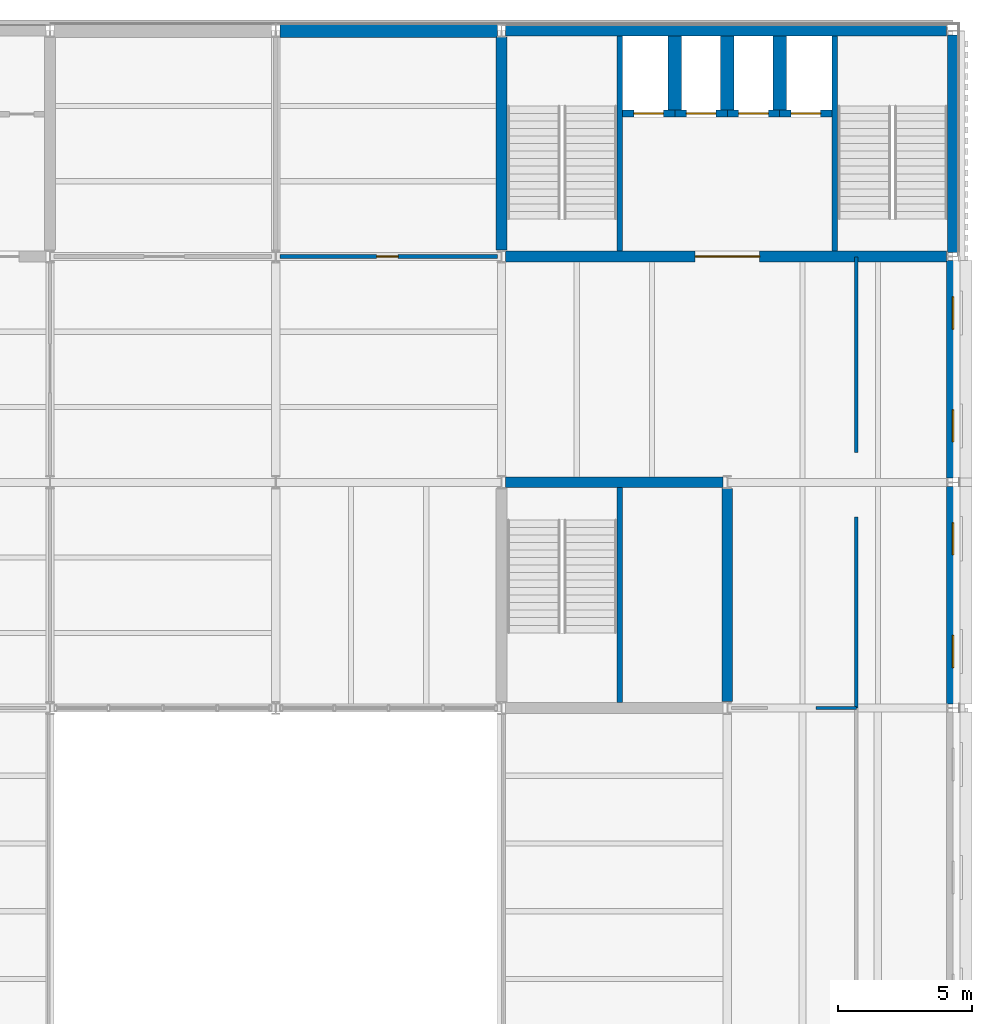
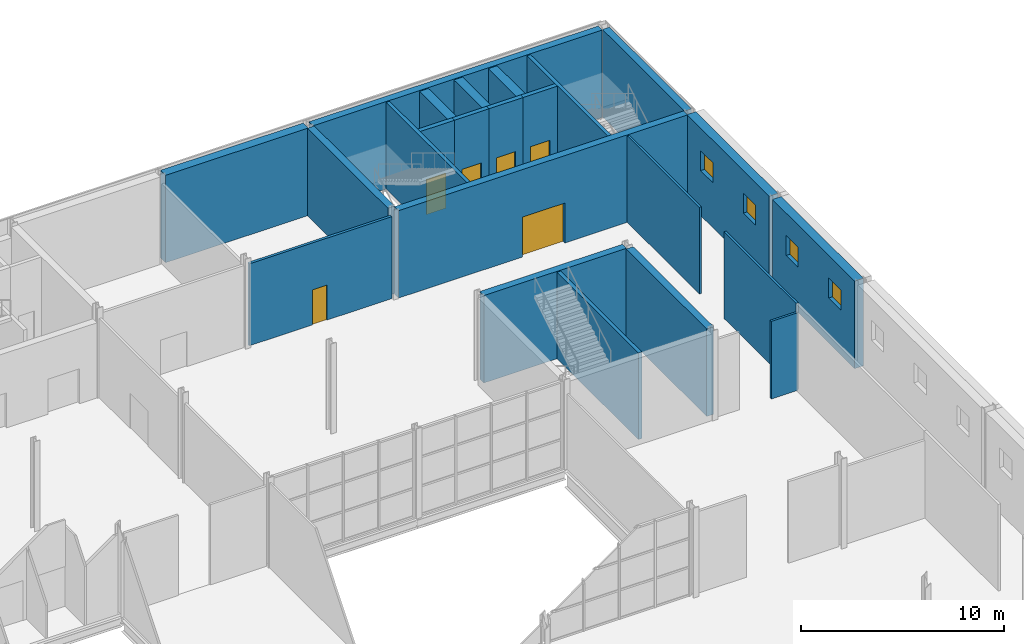
# One storey, part 35 of 57: 23 walls, 6 doors, 4 windows, 10 openings.
"""IFC4 building model written with IfcOpenShell, lengths in metres."""

from ifc_helpers import new_model, si_unit, direction, frame, frame_2d, origin, place, context, subcontext, project, spatial, rectangle, extrude, material, layer, layer_set, type_object, element, fill, save


model = new_model("IFC4")

# Units and contexts
model_context = context("Model", 3, precision=1e-05, world=origin(), true_north=direction((0.0, 1.0)))
body_context = subcontext(model_context, "Body", "Model", "MODEL_VIEW")
ifc_project = project(units=[si_unit("LENGTHUNIT", "METRE"), si_unit("AREAUNIT", "SQUARE_METRE"), si_unit("VOLUMEUNIT", "CUBIC_METRE"), si_unit("PLANEANGLEUNIT", "RADIAN"), si_unit("MASSUNIT", "GRAM", prefix="KILO")], contexts=[model_context])

# Site, building, storey
site_placement = place(None, origin())
site = spatial("IfcSite", under=ifc_project, at=site_placement, CompositionType="ELEMENT")
building_placement = place(site_placement, origin())
building = spatial("IfcBuilding", under=site, at=building_placement, Name="Galleria Vessillo Department Store", CompositionType="ELEMENT")
storey_placement = place(building_placement, frame((0.0, 0.0, 25.800048828125)))
storey = spatial("IfcBuildingStorey", under=building, at=storey_placement, Name="L05", CompositionType="ELEMENT", Elevation=25.800048828125)

# Walls
ifc_material_1 = material(Name="Solid clay block masonry", Category="masonry")
ifc_layer_1 = layer(ifc_material_1, 0.5)
ifc_layer_set_1 = layer_set([ifc_layer_1], Name="Solid clay block masonry")
wall_type_1 = type_object("IfcWallType", Name="Lift shaft partition wall 500 mm", PredefinedType="SOLIDWALL", material=ifc_layer_set_1)
for number, where, z_axis, x_axis, name in (
    (1, (107.25, 62.800048828125, 0.0), (0.0, 0.0, 1.0), (0.0, -1.0, 0.0), "Lift shaft partition wall T1 L05"),
    (2, (109.199951171875, 62.800048828125, 0.0), (0.0, 0.0, 1.0), (0.0, -1.0, 0.0), "Lift shaft partition wall T2 L05"),
    (3, (111.14990234375, 62.800048828125, 0.0), (0.0, 0.0, 1.0), (0.0, -1.0, 0.0), "Lift shaft partition wall T3 L05"),
):
    element("IfcWall", number, at=place(storey_placement, frame(where, z_axis=z_axis, x_axis=x_axis)), inside=storey, type_object=wall_type_1, Name=name, PredefinedType="SOLIDWALL", context=body_context, shape_type="SweptSolid", body=[
        extrude(rectangle(XDim=2.75, YDim=0.5, at=frame_2d((1.375, 0.0))), origin(), (0.0, 0.0, 1.0), 5.199951171875),
    ])

# Wall, opening, door
ifc_material_2 = material(Name="Solid clay block masonry", Category="masonry")
ifc_layer_2 = layer(ifc_material_2, 0.25)
ifc_layer_set_2 = layer_set([ifc_layer_2], Name="Solid clay block masonry")
wall_type_2 = type_object("IfcWallType", Name="Lift shaft wall 250 mm", PredefinedType="SOLIDWALL", material=ifc_layer_set_2)
wall_1_placement = place(storey_placement, frame((105.300048828125, 59.925048828125, 0.0), z_axis=(0.0, 0.0, 1.0), x_axis=(1.0, 0.0, 0.0)))
wall_1 = element("IfcWall", 4, at=wall_1_placement, inside=storey, type_object=wall_type_2, Name="Lift shaft wall T1 landing side L05", PredefinedType="SOLIDWALL", context=body_context, shape_type="SweptSolid", body=[
    extrude(rectangle(XDim=1.949951171875, YDim=0.25, at=frame_2d((0.97509765625, 0.0))), origin(), (0.0, 0.0, 1.0), 5.199951171875),
])
opening_1_placement = place(wall_1_placement, frame((0.4248046875, 0.0, 0.0)))
opening_1 = element("IfcOpeningElement", 5, at=opening_1_placement, cuts=wall_1, Name="Opening LD093", PredefinedType="OPENING", context=body_context, shape_type="SweptSolid", body=[
    extrude(rectangle(XDim=1.10009765625, YDim=2.10009765625, at=frame_2d((0.550048828125, 1.050048828125))), frame((0.0, 0.135009765625, 0.0), z_axis=(0.0, -1.0, 0.0), x_axis=(1.0, 0.0, 0.0)), (0.0, 0.0, 1.0), 0.27001953125),
])
ifc_material_3 = material(Name="Stainless steel lift door panel", Category="steel")
door_type_1 = type_object("IfcDoorType", Name="Lift landing door LD110 sliding 1100 x 2100", OperationType="SLIDING_TO_LEFT", PredefinedType="DOOR", material=ifc_material_3)
door_1_placement = place(opening_1_placement, frame((1.10009765625, 0.0, 0.0), z_axis=(0.0, 0.0, 1.0), x_axis=(-1.0, 0.0, 0.0)))
door_1 = element("IfcDoor", 6, at=door_1_placement, inside=storey, type_object=door_type_1, Name="Lift landing door T1 L05", OperationType="SLIDING_TO_RIGHT", OverallHeight=2.10009765625, OverallWidth=1.10009765625, PredefinedType="DOOR", context=body_context, shape_type="SweptSolid", body=[
    extrude(rectangle(XDim=1.10009765625, YDim=2.10009765625, at=frame_2d((0.550048828125, 1.050048828125))), frame((0.0, 0.02490234375, 0.0), z_axis=(0.0, -1.0, 0.0), x_axis=(1.0, 0.0, 0.0)), (0.0, 0.0, 1.0), 0.050048828125),
])
fill(opening_1, door_1)

wall_2_placement = place(storey_placement, frame((107.25, 59.925048828125, 0.0), z_axis=(0.0, 0.0, 1.0), x_axis=(1.0, 0.0, 0.0)))
wall_2 = element("IfcWall", 7, at=wall_2_placement, inside=storey, type_object=wall_type_2, Name="Lift shaft wall T2 landing side L05", PredefinedType="SOLIDWALL", context=body_context, shape_type="SweptSolid", body=[
    extrude(rectangle(XDim=1.949951171875, YDim=0.25, at=frame_2d((0.97509765625, 0.0))), origin(), (0.0, 0.0, 1.0), 5.199951171875),
])
opening_2_placement = place(wall_2_placement, frame((0.425048828125, 0.0, 0.0)))
opening_2 = element("IfcOpeningElement", 8, at=opening_2_placement, cuts=wall_2, Name="Opening LD094", PredefinedType="OPENING", context=body_context, shape_type="SweptSolid", body=[
    extrude(rectangle(XDim=1.10009765625, YDim=2.10009765625, at=frame_2d((0.550048828125, 1.050048828125))), frame((0.0, 0.135009765625, 0.0), z_axis=(0.0, -1.0, 0.0), x_axis=(1.0, 0.0, 0.0)), (0.0, 0.0, 1.0), 0.27001953125),
])
door_2_placement = place(opening_2_placement, frame((1.10009765625, 0.0, 0.0), z_axis=(0.0, 0.0, 1.0), x_axis=(-1.0, 0.0, 0.0)))
door_2 = element("IfcDoor", 9, at=door_2_placement, inside=storey, type_object=door_type_1, Name="Lift landing door T2 L05", OperationType="SLIDING_TO_RIGHT", OverallHeight=2.10009765625, OverallWidth=1.10009765625, PredefinedType="DOOR", context=body_context, shape_type="SweptSolid", body=[
    extrude(rectangle(XDim=1.10009765625, YDim=2.10009765625, at=frame_2d((0.550048828125, 1.050048828125))), frame((0.0, 0.02490234375, 0.0), z_axis=(0.0, -1.0, 0.0), x_axis=(1.0, 0.0, 0.0)), (0.0, 0.0, 1.0), 0.050048828125),
])
fill(opening_2, door_2)

wall_3_placement = place(storey_placement, frame((109.199951171875, 59.925048828125, 0.0), z_axis=(0.0, 0.0, 1.0), x_axis=(1.0, 0.0, 0.0)))
wall_3 = element("IfcWall", 10, at=wall_3_placement, inside=storey, type_object=wall_type_2, Name="Lift shaft wall T3 landing side L05", PredefinedType="SOLIDWALL", context=body_context, shape_type="SweptSolid", body=[
    extrude(rectangle(XDim=1.949951171875, YDim=0.25, at=frame_2d((0.97509765625, 0.0))), origin(), (0.0, 0.0, 1.0), 5.199951171875),
])
opening_3_placement = place(wall_3_placement, frame((0.425048828125, 0.0, 0.0)))
opening_3 = element("IfcOpeningElement", 11, at=opening_3_placement, cuts=wall_3, Name="Opening LD095", PredefinedType="OPENING", context=body_context, shape_type="SweptSolid", body=[
    extrude(rectangle(XDim=1.10009765625, YDim=2.10009765625, at=frame_2d((0.550048828125, 1.050048828125))), frame((0.0, 0.135009765625, 0.0), z_axis=(0.0, -1.0, 0.0), x_axis=(1.0, 0.0, 0.0)), (0.0, 0.0, 1.0), 0.27001953125),
])
door_3_placement = place(opening_3_placement, frame((1.10009765625, 0.0, 0.0), z_axis=(0.0, 0.0, 1.0), x_axis=(-1.0, 0.0, 0.0)))
door_3 = element("IfcDoor", 12, at=door_3_placement, inside=storey, type_object=door_type_1, Name="Lift landing door T3 L05", OperationType="SLIDING_TO_RIGHT", OverallHeight=2.10009765625, OverallWidth=1.10009765625, PredefinedType="DOOR", context=body_context, shape_type="SweptSolid", body=[
    extrude(rectangle(XDim=1.10009765625, YDim=2.10009765625, at=frame_2d((0.550048828125, 1.050048828125))), frame((0.0, 0.02490234375, 0.0), z_axis=(0.0, -1.0, 0.0), x_axis=(1.0, 0.0, 0.0)), (0.0, 0.0, 1.0), 0.050048828125),
])
fill(opening_3, door_3)

wall_4_placement = place(storey_placement, frame((111.14990234375, 59.925048828125, 0.0), z_axis=(0.0, 0.0, 1.0), x_axis=(1.0, 0.0, 0.0)))
wall_4 = element("IfcWall", 13, at=wall_4_placement, inside=storey, type_object=wall_type_2, Name="Lift shaft wall T4 landing side L05", PredefinedType="SOLIDWALL", context=body_context, shape_type="SweptSolid", body=[
    extrude(rectangle(XDim=1.9501953125, YDim=0.25, at=frame_2d((0.97509765625, 0.0))), origin(), (0.0, 0.0, 1.0), 5.199951171875),
])
opening_4_placement = place(wall_4_placement, frame((0.425048828125, 0.0, 0.0)))
opening_4 = element("IfcOpeningElement", 14, at=opening_4_placement, cuts=wall_4, Name="Opening LD096", PredefinedType="OPENING", context=body_context, shape_type="SweptSolid", body=[
    extrude(rectangle(XDim=1.10009765625, YDim=2.10009765625, at=frame_2d((0.550048828125, 1.050048828125))), frame((0.0, 0.135009765625, 0.0), z_axis=(0.0, -1.0, 0.0), x_axis=(1.0, 0.0, 0.0)), (0.0, 0.0, 1.0), 0.27001953125),
])
door_4_placement = place(opening_4_placement, frame((1.10009765625, 0.0, 0.0), z_axis=(0.0, 0.0, 1.0), x_axis=(-1.0, 0.0, 0.0)))
door_4 = element("IfcDoor", 15, at=door_4_placement, inside=storey, type_object=door_type_1, Name="Lift landing door T4 L05", OperationType="SLIDING_TO_LEFT", OverallHeight=2.10009765625, OverallWidth=1.10009765625, PredefinedType="DOOR", context=body_context, shape_type="SweptSolid", body=[
    extrude(rectangle(XDim=1.10009765625, YDim=2.10009765625, at=frame_2d((0.550048828125, 1.050048828125))), frame((0.0, 0.02490234375, 0.0), z_axis=(0.0, -1.0, 0.0), x_axis=(1.0, 0.0, 0.0)), (0.0, 0.0, 1.0), 0.050048828125),
])
fill(opening_4, door_4)

# Wall, openings, windows
ifc_material_4 = material(Name="Reinforced masonry, limestone units 80 MPa", Category="masonry")
ifc_layer_3 = layer(ifc_material_4, 0.5)
ifc_layer_set_3 = layer_set([ifc_layer_3], Name="Reinforced masonry, limestone units 80 MPa")
wall_type_3 = type_object("IfcWallType", Name="Load-bearing limestone-faced wall 500 mm", PredefinedType="STANDARD", material=ifc_layer_set_3)
wall_5_placement = place(storey_placement, frame((117.60009765625, 37.95361328125, 0.0), z_axis=(0.0, 0.0, 1.0), x_axis=(0.0, 1.0, 0.0)))
wall_5 = element("IfcWall", 16, at=wall_5_placement, inside=storey, type_object=wall_type_3, Name="Load-bearing limestone-faced wall 500 mm SE-L05-04", PredefinedType="STANDARD", context=body_context, shape_type="SweptSolid", body=[
    extrude(rectangle(XDim=8.0927734375, YDim=0.5, at=frame_2d((4.04638671875, 0.0))), origin(), (0.0, 0.0, 1.0), 5.25),
])
opening_5_placement = place(wall_5_placement, frame((1.346435546875, 0.0, 2.699951171875)))
opening_5 = element("IfcOpeningElement", 17, at=opening_5_placement, cuts=wall_5, Name="Opening W087", PredefinedType="OPENING", context=body_context, shape_type="SweptSolid", body=[
    extrude(rectangle(XDim=1.199951171875, YDim=1.199951171875, at=frame_2d((0.60009765625, 0.60009765625))), frame((0.0, 0.260009765625, 0.0), z_axis=(0.0, -1.0, 0.0), x_axis=(1.0, 0.0, 0.0)), (0.0, 0.0, 1.0), 0.52001953125),
])
opening_6_placement = place(wall_5_placement, frame((5.54638671875, 0.0, 2.699951171875)))
opening_6 = element("IfcOpeningElement", 18, at=opening_6_placement, cuts=wall_5, Name="Opening W088", PredefinedType="OPENING", context=body_context, shape_type="SweptSolid", body=[
    extrude(rectangle(XDim=1.199951171875, YDim=1.199951171875, at=frame_2d((0.60009765625, 0.60009765625))), frame((0.0, 0.260009765625, 0.0), z_axis=(0.0, -1.0, 0.0), x_axis=(1.0, 0.0, 0.0)), (0.0, 0.0, 1.0), 0.52001953125),
])
ifc_material_5 = material(Name="Aluminium frame with laminated glass 44.2", Category="aluminium")
window_type = type_object("IfcWindowType", Name="Attic window 1200 x 1200", PartitioningType="SINGLE_PANEL", PredefinedType="WINDOW", material=ifc_material_5)
window_1_placement = place(opening_5_placement, origin())
window_1 = element("IfcWindow", 19, at=window_1_placement, inside=storey, type_object=window_type, Name="E-WIN-SE-L05-04-087", OverallHeight=1.199951171875, OverallWidth=1.199951171875, PartitioningType="SINGLE_PANEL", PredefinedType="WINDOW", context=body_context, shape_type="SweptSolid", body=[
    extrude(rectangle(XDim=1.199951171875, YDim=1.199951171875, at=frame_2d((0.60009765625, 0.60009765625))), frame((0.0, 0.030029296875, 0.0), z_axis=(0.0, -1.0, 0.0), x_axis=(1.0, 0.0, 0.0)), (0.0, 0.0, 1.0), 0.06005859375),
])
fill(opening_5, window_1)
window_2_placement = place(opening_6_placement, origin())
window_2 = element("IfcWindow", 20, at=window_2_placement, inside=storey, type_object=window_type, Name="E-WIN-SE-L05-04-088", OverallHeight=1.199951171875, OverallWidth=1.199951171875, PartitioningType="SINGLE_PANEL", PredefinedType="WINDOW", context=body_context, shape_type="SweptSolid", body=[
    extrude(rectangle(XDim=1.199951171875, YDim=1.199951171875, at=frame_2d((0.60009765625, 0.60009765625))), frame((0.0, 0.030029296875, 0.0), z_axis=(0.0, -1.0, 0.0), x_axis=(1.0, 0.0, 0.0)), (0.0, 0.0, 1.0), 0.06005859375),
])
fill(opening_6, window_2)

wall_6_placement = place(storey_placement, frame((117.60009765625, 46.353515625, 0.0), z_axis=(0.0, 0.0, 1.0), x_axis=(0.0, 1.0, 0.0)))
wall_6 = element("IfcWall", 21, at=wall_6_placement, inside=storey, type_object=wall_type_3, Name="Load-bearing limestone-faced wall 500 mm SE-L05-05", PredefinedType="STANDARD", context=body_context, shape_type="SweptSolid", body=[
    extrude(rectangle(XDim=8.093017578125, YDim=0.5, at=frame_2d((4.04638671875, 0.0))), origin(), (0.0, 0.0, 1.0), 5.25),
])
opening_7_placement = place(wall_6_placement, frame((1.346435546875, 0.0, 2.699951171875)))
opening_7 = element("IfcOpeningElement", 22, at=opening_7_placement, cuts=wall_6, Name="Opening W089", PredefinedType="OPENING", context=body_context, shape_type="SweptSolid", body=[
    extrude(rectangle(XDim=1.199951171875, YDim=1.199951171875, at=frame_2d((0.60009765625, 0.60009765625))), frame((0.0, 0.260009765625, 0.0), z_axis=(0.0, -1.0, 0.0), x_axis=(1.0, 0.0, 0.0)), (0.0, 0.0, 1.0), 0.52001953125),
])
opening_8_placement = place(wall_6_placement, frame((5.54638671875, 0.0, 2.699951171875)))
opening_8 = element("IfcOpeningElement", 23, at=opening_8_placement, cuts=wall_6, Name="Opening W090", PredefinedType="OPENING", context=body_context, shape_type="SweptSolid", body=[
    extrude(rectangle(XDim=1.199951171875, YDim=1.199951171875, at=frame_2d((0.60009765625, 0.60009765625))), frame((0.0, 0.260009765625, 0.0), z_axis=(0.0, -1.0, 0.0), x_axis=(1.0, 0.0, 0.0)), (0.0, 0.0, 1.0), 0.52001953125),
])
window_3_placement = place(opening_7_placement, origin())
window_3 = element("IfcWindow", 24, at=window_3_placement, inside=storey, type_object=window_type, Name="E-WIN-SE-L05-05-089", OverallHeight=1.199951171875, OverallWidth=1.199951171875, PartitioningType="SINGLE_PANEL", PredefinedType="WINDOW", context=body_context, shape_type="SweptSolid", body=[
    extrude(rectangle(XDim=1.199951171875, YDim=1.199951171875, at=frame_2d((0.60009765625, 0.60009765625))), frame((0.0, 0.030029296875, 0.0), z_axis=(0.0, -1.0, 0.0), x_axis=(1.0, 0.0, 0.0)), (0.0, 0.0, 1.0), 0.06005859375),
])
fill(opening_7, window_3)
window_4_placement = place(opening_8_placement, origin())
window_4 = element("IfcWindow", 25, at=window_4_placement, inside=storey, type_object=window_type, Name="E-WIN-SE-L05-05-090", OverallHeight=1.199951171875, OverallWidth=1.199951171875, PartitioningType="SINGLE_PANEL", PredefinedType="WINDOW", context=body_context, shape_type="SweptSolid", body=[
    extrude(rectangle(XDim=1.199951171875, YDim=1.199951171875, at=frame_2d((0.60009765625, 0.60009765625))), frame((0.0, 0.030029296875, 0.0), z_axis=(0.0, -1.0, 0.0), x_axis=(1.0, 0.0, 0.0)), (0.0, 0.0, 1.0), 0.06005859375),
])
fill(opening_8, window_4)

# Walls
ifc_material_6 = material(Name="Gypsum board partition")
ifc_layer_4 = layer(ifc_material_6, 0.125)
ifc_layer_set_4 = layer_set([ifc_layer_4], Name="Gypsum board partition")
wall_type_4 = type_object("IfcWallType", Name="Office partition 125 mm", PredefinedType="PARTITIONING", material=ifc_layer_set_4)
wall_7_placement = place(storey_placement, frame((112.50341796875, 37.800048828125, 0.0), z_axis=(0.0, 0.0, 1.0), x_axis=(1.0, 0.0, 0.0)))
element("IfcWall", 26, at=wall_7_placement, inside=storey, type_object=wall_type_4, Name="Partition wall PT2 on L05 no. 072", PredefinedType="PARTITIONING", context=body_context, shape_type="SweptSolid", body=[
    extrude(rectangle(XDim=1.49658203125, YDim=0.125, at=frame_2d((0.748291015625, 0.0))), origin(), (0.0, 0.0, 1.0), 4.659912109375),
])
wall_8_placement = place(storey_placement, frame((114.0, 37.800048828125, 0.0), z_axis=(0.0, 0.0, 1.0), x_axis=(0.0, 1.0, 0.0)))
element("IfcWall", 27, at=wall_8_placement, inside=storey, type_object=wall_type_4, Name="Partition wall PT2 on L05 no. 073", PredefinedType="PARTITIONING", context=body_context, shape_type="SweptSolid", body=[
    extrude(rectangle(XDim=7.099853515625, YDim=0.125, at=frame_2d((3.5498046875, 0.0))), origin(), (0.0, 0.0, 1.0), 5.199951171875),
])
wall_9_placement = place(storey_placement, frame((114.0, 47.300048828125, 0.0), z_axis=(0.0, 0.0, 1.0), x_axis=(0.0, 1.0, 0.0)))
element("IfcWall", 28, at=wall_9_placement, inside=storey, type_object=wall_type_4, Name="Partition wall PT2 on L05 no. 074", PredefinedType="PARTITIONING", context=body_context, shape_type="SweptSolid", body=[
    extrude(rectangle(XDim=7.2900390625, YDim=0.125, at=frame_2d((3.64501953125, 0.0))), origin(), (0.0, 0.0, 1.0), 5.199951171875),
])

# Wall, opening, door
ifc_material_7 = material(Name="Concrete C32/40 reinforced", Category="concrete")
ifc_layer_5 = layer(ifc_material_7, 0.39990234375)
ifc_layer_set_5 = layer_set([ifc_layer_5], Name="Concrete C32/40 reinforced")
wall_type_5 = type_object("IfcWallType", Name="Reinforced concrete core wall 400 mm", PredefinedType="SHEAR", material=ifc_layer_set_5)
wall_10_placement = place(storey_placement, frame((100.95361328125, 54.60009765625, 0.0), z_axis=(0.0, 0.0, 1.0), x_axis=(1.0, 0.0, 0.0)))
wall_10 = element("IfcWall", 29, at=wall_10_placement, inside=storey, type_object=wall_type_5, Name="S-CW-TC-INTERIOR-L05", PredefinedType="SHEAR", context=body_context, shape_type="SweptSolid", body=[
    extrude(rectangle(XDim=16.407470703125, YDim=0.39990234375, at=frame_2d((8.20361328125, 0.0))), origin(), (0.0, 0.0, 1.0), 5.25),
])
opening_9_placement = place(wall_10_placement, frame((7.04638671875, 0.0, 0.0)))
opening_9 = element("IfcOpeningElement", 30, at=opening_9_placement, cuts=wall_10, Name="Opening D5269", PredefinedType="OPENING", context=body_context, shape_type="SweptSolid", body=[
    extrude(rectangle(XDim=2.39990234375, YDim=2.39990234375, at=frame_2d((1.199951171875, 1.199951171875))), frame((0.0, 0.2099609375, 0.0), z_axis=(0.0, -1.0, 0.0), x_axis=(1.0, 0.0, 0.0)), (0.0, 0.0, 1.0), 0.419921875),
])
ifc_material_8 = material(Name="Fire-rated steel door leaf", Category="steel")
door_type_2 = type_object("IfcDoorType", Name="Door D240F double leaf 2400 x 2400", OperationType="DOUBLE_DOOR_SINGLE_SWING", PredefinedType="DOOR", material=ifc_material_8)
door_5_placement = place(opening_9_placement, frame((2.39990234375, 0.0, 0.0), z_axis=(0.0, 0.0, 1.0), x_axis=(-1.0, 0.0, 0.0)))
door_5 = element("IfcDoor", 31, at=door_5_placement, inside=storey, type_object=door_type_2, Name="Lobby door TC-LOBBY-FLOOR L05", OperationType="DOUBLE_DOOR_SINGLE_SWING", OverallHeight=2.39990234375, OverallWidth=2.39990234375, PredefinedType="DOOR", context=body_context, shape_type="SweptSolid", body=[
    extrude(rectangle(XDim=2.39990234375, YDim=2.39990234375, at=frame_2d((1.199951171875, 1.199951171875))), frame((0.0, 0.02490234375, 0.0), z_axis=(0.0, -1.0, 0.0), x_axis=(1.0, 0.0, 0.0)), (0.0, 0.0, 1.0), 0.050048828125),
])
fill(opening_9, door_5)

# Walls
wall_11_placement = place(storey_placement, frame((100.800048828125, 54.839111328125, 0.0), z_axis=(0.0, 0.0, 1.0), x_axis=(0.0, 1.0, 0.0)))
element("IfcWall", 32, at=wall_11_placement, inside=storey, type_object=wall_type_5, Name="S-CW-TC-WEST-L05", PredefinedType="SHEAR", context=body_context, shape_type="SweptSolid", body=[
    extrude(rectangle(XDim=7.921875, YDim=0.39990234375, at=frame_2d((3.9609375, 0.0))), origin(), (0.0, 0.0, 1.0), 5.25),
])
wall_12_placement = place(storey_placement, frame((100.95361328125, 46.199951171875, 0.0), z_axis=(0.0, 0.0, 1.0), x_axis=(1.0, 0.0, 0.0)))
element("IfcWall", 33, at=wall_12_placement, inside=storey, type_object=wall_type_5, Name="S-CW-TS-INTERIOR-L05", PredefinedType="SHEAR", context=body_context, shape_type="SweptSolid", body=[
    extrude(rectangle(XDim=8.0927734375, YDim=0.39990234375, at=frame_2d((4.04638671875, 0.0))), origin(), (0.0, 0.0, 1.0), 5.25),
])
wall_13_placement = place(storey_placement, frame((109.199951171875, 38.0390625, 0.0), z_axis=(0.0, 0.0, 1.0), x_axis=(0.0, 1.0, 0.0)))
element("IfcWall", 34, at=wall_13_placement, inside=storey, type_object=wall_type_5, Name="S-CW-TS-EAST-L05", PredefinedType="SHEAR", context=body_context, shape_type="SweptSolid", body=[
    extrude(rectangle(XDim=7.921875, YDim=0.39990234375, at=frame_2d((3.9609375, 0.0))), origin(), (0.0, 0.0, 1.0), 5.25),
])
ifc_material_9 = material(Name="Concrete C32/40 reinforced", Category="concrete")
ifc_layer_6 = layer(ifc_material_9, 0.39990234375)
ifc_layer_set_6 = layer_set([ifc_layer_6], Name="Concrete C32/40 reinforced")
wall_type_6 = type_object("IfcWallType", Name="Reinforced concrete core wall 400 mm, external", PredefinedType="SHEAR", material=ifc_layer_set_6)
wall_14_placement = place(storey_placement, frame((100.95361328125, 63.0, 0.0), z_axis=(0.0, 0.0, 1.0), x_axis=(1.0, 0.0, 0.0)))
element("IfcWall", 35, at=wall_14_placement, inside=storey, type_object=wall_type_6, Name="S-CW-TC-PARTY-L05", PredefinedType="SHEAR", context=body_context, shape_type="SweptSolid", body=[
    extrude(rectangle(XDim=16.407470703125, YDim=0.39990234375, at=frame_2d((8.20361328125, 0.0))), origin(), (0.0, 0.0, 1.0), 5.25),
])
wall_15_placement = place(storey_placement, frame((117.60009765625, 54.753662109375, 0.0), z_axis=(0.0, 0.0, 1.0), x_axis=(0.0, 1.0, 0.0)))
element("IfcWall", 36, at=wall_15_placement, inside=storey, type_object=wall_type_6, Name="S-CW-TC-EAST-L05", PredefinedType="SHEAR", context=body_context, shape_type="SweptSolid", body=[
    extrude(rectangle(XDim=8.0927734375, YDim=0.39990234375, at=frame_2d((4.04638671875, 0.0))), origin(), (0.0, 0.0, 1.0), 5.25),
])
ifc_material_10 = material(Name="Concrete C32/40 reinforced", Category="concrete")
ifc_layer_7 = layer(ifc_material_10, 0.5)
ifc_layer_set_7 = layer_set([ifc_layer_7], Name="Concrete C32/40 reinforced")
wall_type_7 = type_object("IfcWallType", Name="Reinforced concrete party wall 500 mm", PredefinedType="SHEAR", material=ifc_layer_set_7)
wall_16_placement = place(storey_placement, frame((92.553466796875, 63.0, 0.0), z_axis=(0.0, 0.0, 1.0), x_axis=(1.0, 0.0, 0.0)))
element("IfcWall", 37, at=wall_16_placement, inside=storey, type_object=wall_type_7, Name="S-PN-L05-08", PredefinedType="SHEAR", context=body_context, shape_type="SweptSolid", body=[
    extrude(rectangle(XDim=8.093017578125, YDim=0.5, at=frame_2d((4.04638671875, 0.0))), origin(), (0.0, 0.0, 1.0), 5.25),
])
ifc_material_11 = material(Name="Concrete C32/40 reinforced", Category="concrete")
ifc_layer_8 = layer(ifc_material_11, 0.199951171875)
ifc_layer_set_8 = layer_set([ifc_layer_8], Name="Concrete C32/40 reinforced")
wall_type_8 = type_object("IfcWallType", Name="Reinforced concrete stair enclosure wall 200 mm", PredefinedType="SHEAR", material=ifc_layer_set_8)
for number, where, z_axis, x_axis, name in (
    (38, (105.199951171875, 62.800048828125, 0.0), (0.0, 0.0, 1.0), (0.0, -1.0, 0.0), "Stair enclosure wall TC L05"),
    (39, (113.199951171875, 62.800048828125, 0.0), (0.0, 0.0, 1.0), (0.0, -1.0, 0.0), "Stair enclosure wall TC L05"),
    (40, (105.199951171875, 38.0, 0.0), (0.0, 0.0, 1.0), (0.0, 1.0, 0.0), "Stair enclosure wall TS L05"),
):
    element("IfcWall", number, at=place(storey_placement, frame(where, z_axis=z_axis, x_axis=x_axis)), inside=storey, type_object=wall_type_8, Name=name, PredefinedType="SHEAR", context=body_context, shape_type="SweptSolid", body=[
        extrude(rectangle(XDim=8.0, YDim=0.199951171875, at=frame_2d((4.0, 0.0))), origin(), (0.0, 0.0, 1.0), 5.199951171875),
    ])

# Wall, opening, door
ifc_material_12 = material(Name="Concrete blockwork", Category="masonry")
ifc_layer_9 = layer(ifc_material_12, 0.14990234375)
ifc_layer_set_9 = layer_set([ifc_layer_9], Name="Concrete blockwork")
wall_type_9 = type_object("IfcWallType", Name="Stockroom blockwork wall 150 mm", PredefinedType="SOLIDWALL", material=ifc_layer_set_9)
wall_17_placement = place(storey_placement, frame((92.553466796875, 54.60009765625, 0.0), z_axis=(0.0, 0.0, 1.0), x_axis=(1.0, 0.0, 0.0)))
wall_17 = element("IfcWall", 41, at=wall_17_placement, inside=storey, type_object=wall_type_9, Name="Partition wall PT4 on L05 no. 036", PredefinedType="SOLIDWALL", context=body_context, shape_type="SweptSolid", body=[
    extrude(rectangle(XDim=8.093017578125, YDim=0.14990234375, at=frame_2d((4.04638671875, 0.0))), origin(), (0.0, 0.0, 1.0), 4.919921875),
])
opening_10_placement = place(wall_17_placement, frame((3.60009765625, 0.0, 0.0)))
opening_10 = element("IfcOpeningElement", 42, at=opening_10_placement, cuts=wall_17, Name="Opening D2724", PredefinedType="OPENING", context=body_context, shape_type="SweptSolid", body=[
    extrude(rectangle(XDim=0.800048828125, YDim=2.10009765625, at=frame_2d((0.39990234375, 1.050048828125))), frame((0.0, 0.0849609375, 0.0), z_axis=(0.0, -1.0, 0.0), x_axis=(1.0, 0.0, 0.0)), (0.0, 0.0, 1.0), 0.169921875),
])
ifc_material_13 = material(Name="Steel fire door leaf", Category="steel")
door_type_3 = type_object("IfcDoorType", Name="Fire door 800 staff door", OperationType="SINGLE_SWING_LEFT", PredefinedType="DOOR", material=ifc_material_13)
door_6_placement = place(opening_10_placement, frame((0.800048828125, 0.0, 0.0), z_axis=(0.0, 0.0, 1.0), x_axis=(-1.0, 0.0, 0.0)))
door_6 = element("IfcDoor", 43, at=door_6_placement, inside=storey, type_object=door_type_3, Name="Door D2724", OperationType="SINGLE_SWING_LEFT", OverallHeight=2.10009765625, OverallWidth=0.800048828125, PredefinedType="DOOR", context=body_context, shape_type="SweptSolid", body=[
    extrude(rectangle(XDim=0.800048828125, YDim=2.10009765625, at=frame_2d((0.39990234375, 1.050048828125))), frame((0.0, 0.02490234375, 0.0), z_axis=(0.0, -1.0, 0.0), x_axis=(1.0, 0.0, 0.0)), (0.0, 0.0, 1.0), 0.050048828125),
])
fill(opening_10, door_6)

save(model, "model.ifc")
